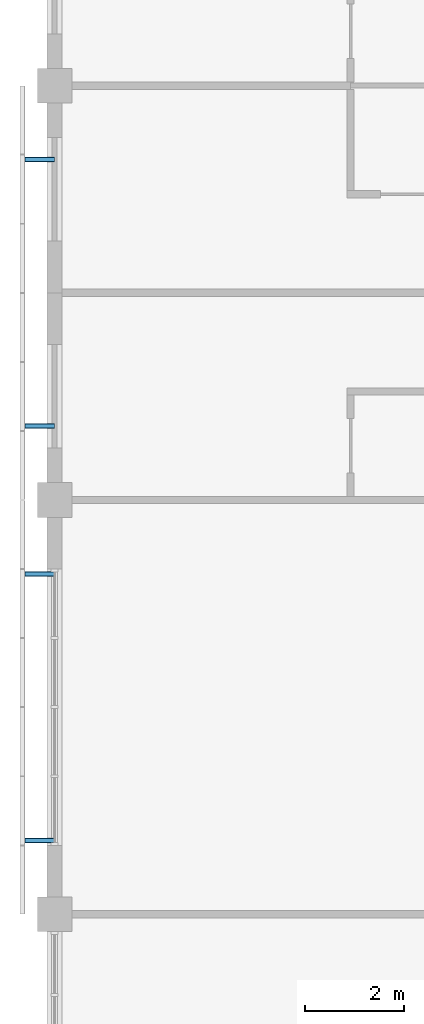
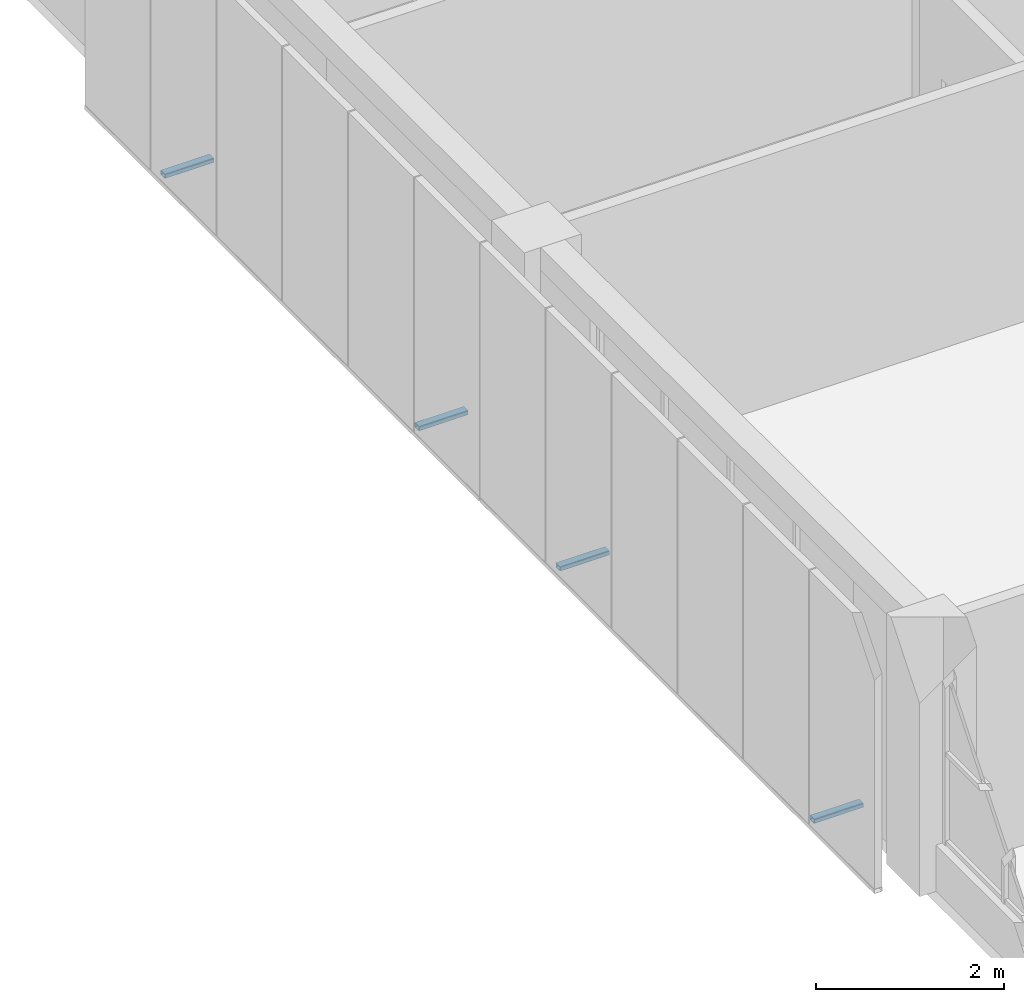
# One storey, part 51 of 61: 4 discrete accessories.
"""IFC4 building model written with IfcOpenShell, lengths in metres."""

from ifc_helpers import new_model, si_unit, direction, frame, origin, origin_2d, place, context, subcontext, project, spatial, hollow_rectangle, extrude, material, material_profile, profile_set, type_object, element, save


model = new_model("IFC4")

# Units and contexts
model_context = context("Model", 3, precision=1e-05, world=origin(), true_north=direction((0.0, 1.0)))
body_context = subcontext(model_context, "Body", "Model", "MODEL_VIEW")
ifc_project = project(units=[si_unit("LENGTHUNIT", "METRE"), si_unit("AREAUNIT", "SQUARE_METRE"), si_unit("VOLUMEUNIT", "CUBIC_METRE"), si_unit("PLANEANGLEUNIT", "RADIAN"), si_unit("MASSUNIT", "GRAM", prefix="KILO")], contexts=[model_context])

# Site, building, storey
site_placement = place(None, origin())
site = spatial("IfcSite", under=ifc_project, at=site_placement, CompositionType="ELEMENT")
building_placement = place(site_placement, origin())
building = spatial("IfcBuilding", under=site, at=building_placement, Name="Yavir Park General Hospital", CompositionType="ELEMENT")
storey_placement = place(building_placement, frame((0.0, 0.0, 15.300048828125)))
storey = spatial("IfcBuildingStorey", under=building, at=storey_placement, Name="L03", CompositionType="ELEMENT", Elevation=15.300048828125)

# Discrete accessories
ifc_material = material(Name="Steel S355", Category="steel")
ifc_material_profile = material_profile(ifc_material, hollow_rectangle(XDim=0.10009765625, YDim=0.06005859375, WallThickness=0.006103515625, InnerFilletRadius=0.006103515625, OuterFilletRadius=0.011962890625, at=origin_2d()), Name="RHS60x100x6")
ifc_profile_set = profile_set([ifc_material_profile], Name="Steel S355")
discrete_accessory_type = type_object("IfcDiscreteAccessoryType", Name="Screen bracket RHS 60 x 100", PredefinedType="BRACKET", material=ifc_profile_set)
for number, where, z_axis, x_axis, name in (
    (1, (0.0, 85.5, -0.030029296875), (-1.0, 0.0, 0.0), (0.0, -1.0, 0.0), "Screen bracket W11.1.1"),
    (2, (0.0, 90.89990234375, -0.030029296875), (-1.0, 0.0, 0.0), (0.0, -1.0, 0.0), "Screen bracket W11.1.2"),
    (3, (0.0, 93.89990234375, -0.030029296875), (-1.0, 0.0, 0.0), (0.0, -1.0, 0.0), "Screen bracket W12.1.1"),
    (4, (0.0, 99.300048828125, -0.030029296875), (-1.0, 0.0, 0.0), (0.0, -1.0, 0.0), "Screen bracket W12.1.2"),
):
    element("IfcDiscreteAccessory", number, at=place(storey_placement, frame(where, z_axis=z_axis, x_axis=x_axis)), inside=storey, type_object=discrete_accessory_type, Name=name, PredefinedType="BRACKET", context=body_context, shape_type="SweptSolid", body=[
        extrude(hollow_rectangle(XDim=0.10009765625, YDim=0.06005859375, WallThickness=0.006103515625, InnerFilletRadius=0.006103515625, OuterFilletRadius=0.011962890625, at=origin_2d()), origin(), (0.0, 0.0, 1.0), 0.60009765625),
    ])

save(model, "model.ifc")
